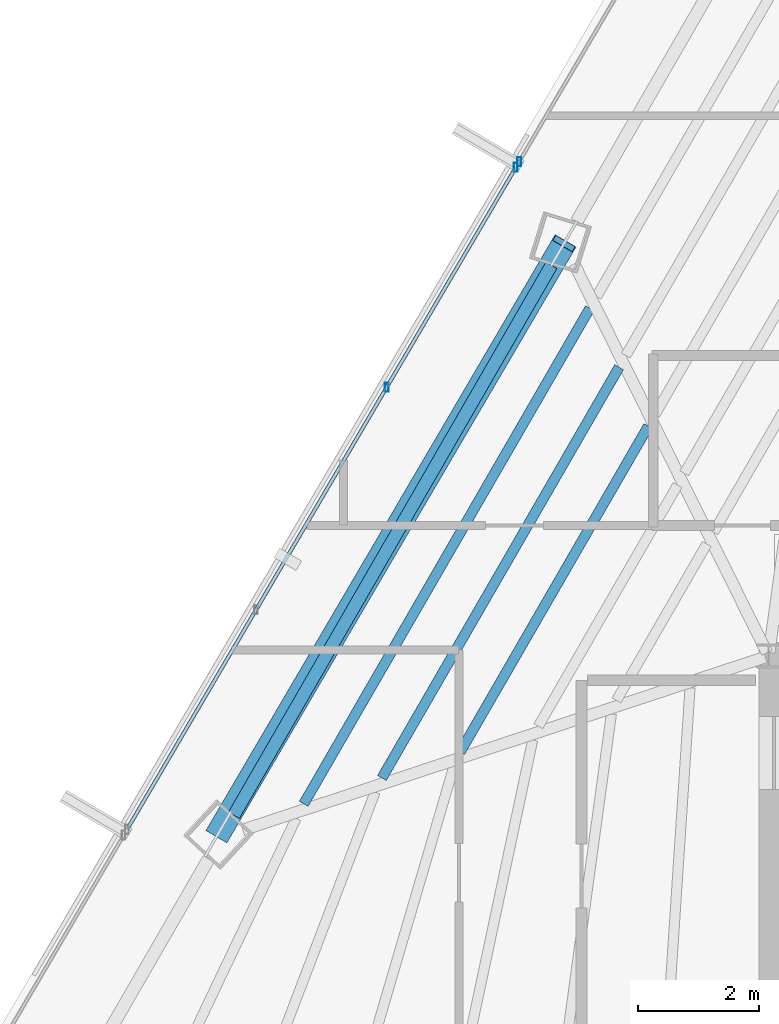
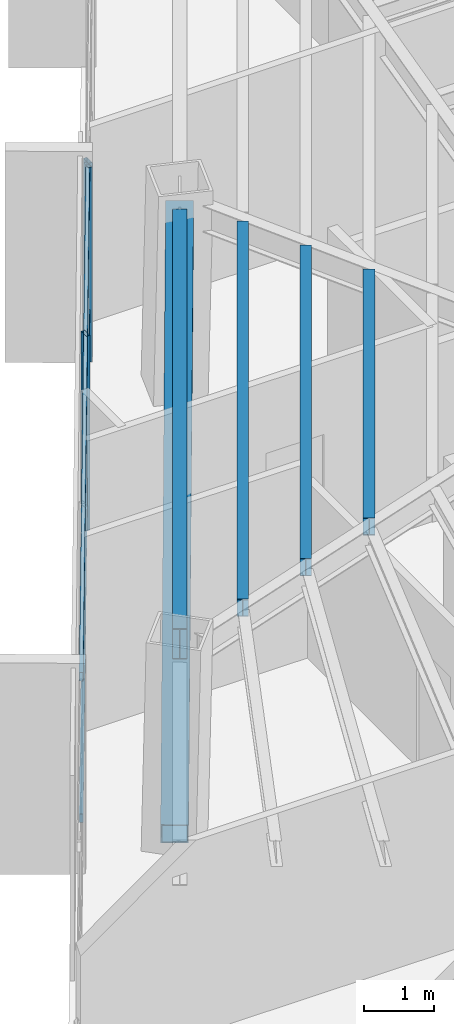
# One storey, part 16 of 42: 6 members, 4 beams, 2 elements without a shape of their own.
"""IFC4 building model written with IfcOpenShell, lengths in metres."""

from ifc_helpers import new_model, si_unit, direction, frame, origin, origin_2d, place, context, subcontext, project, spatial, hollow_rectangle, i_section, extrude, source, transform, mapped, material, material_profile, profile_set, type_object, type_shapes, element, aggregate, save


model = new_model("IFC4")

# Units and contexts
model_context = context("Model", 3, precision=1e-05, world=origin(), true_north=direction((0.0, 1.0)))
body_context = subcontext(model_context, "Body", "Model", "MODEL_VIEW")
ifc_project = project(units=[si_unit("LENGTHUNIT", "METRE"), si_unit("AREAUNIT", "SQUARE_METRE"), si_unit("VOLUMEUNIT", "CUBIC_METRE"), si_unit("PLANEANGLEUNIT", "RADIAN"), si_unit("MASSUNIT", "GRAM", prefix="KILO")], contexts=[model_context])

# Site, building, storey
site_placement = place(None, origin())
site = spatial("IfcSite", under=ifc_project, at=site_placement, CompositionType="ELEMENT")
building_placement = place(site_placement, origin())
building = spatial("IfcBuilding", under=site, at=building_placement, Name="Caelisora Broadcast Tower", CompositionType="ELEMENT")
storey_placement = place(building_placement, frame((0.0, 0.0, 195.0)))
storey = spatial("IfcBuildingStorey", under=building, at=storey_placement, Name="L51", CompositionType="ELEMENT", Elevation=195.0)

# Beams
ifc_material_1 = material(Name="Steel Grade 350 (AS/NZS 3679.1)", Category="steel")
ifc_material_profile_1 = material_profile(ifc_material_1, i_section(OverallWidth=0.208984375, OverallDepth=0.532958984375, WebThickness=0.01025390625, FlangeThickness=0.015625, at=origin_2d()), Name="Steel Grade 350 (AS/NZS 3679.1)")
ifc_profile_set_1 = profile_set([ifc_material_profile_1], Name="Steel Grade 350 (AS/NZS 3679.1)")
beam_type_1 = type_object("IfcBeamType", Name="PG05", PredefinedType="BEAM", material=ifc_profile_set_1)
shared_shape_1 = source(origin(), body_context, "Body", "SweptSolid", [
    extrude(i_section(OverallWidth=0.208984375, OverallDepth=0.532958984375, WebThickness=0.01025390625, FlangeThickness=0.015625, at=origin_2d()), origin(), (0.0, 0.0, 1.0), 10.458740234375),
])
type_shapes(beam_type_1, [shared_shape_1])
beam_1_placement = place(storey_placement, frame((26.921142578125, 36.434814453125, 3.133544921875), z_axis=(-0.49998783254, -0.866032428557, 0.0), x_axis=(0.866032428557, -0.49998783254, 0.0)))
element("IfcBeam", 1, at=beam_1_placement, inside=storey, type_object=beam_type_1, Name="L51 beam PG05", PredefinedType="BEAM", context=body_context, shape_type="MappedRepresentation", body=[
    mapped(shared_shape_1, transform((0.0, 0.0, 0.0), scale=1.0)),
])
ifc_material_profile_2 = material_profile(ifc_material_1, i_section(OverallWidth=0.166015625, OverallDepth=0.30712890625, WebThickness=0.006591796875, FlangeThickness=0.01171875, at=origin_2d()), Name="Steel Grade 350 (AS/NZS 3679.1)")
ifc_profile_set_2 = profile_set([ifc_material_profile_2], Name="Steel Grade 350 (AS/NZS 3679.1)")
beam_type_2 = type_object("IfcBeamType", Name="SB03", PredefinedType="JOIST", material=ifc_profile_set_2)
shared_shape_2 = source(origin(), body_context, "Body", "SweptSolid", [
    extrude(i_section(OverallWidth=0.166015625, OverallDepth=0.30712890625, WebThickness=0.006591796875, FlangeThickness=0.01171875, at=origin_2d()), origin(), (0.0, 0.0, 1.0), 6.199462890625),
])
beam_2_placement = place(storey_placement, frame((28.517822265625, 33.7861328125, 3.246337890625), z_axis=(-0.499984943379, -0.866034096554, 0.0), x_axis=(0.866034096554, -0.499984943379, 0.0)))
element("IfcBeam", 2, at=beam_2_placement, inside=storey, type_object=beam_type_2, Name="L51 beam SB03", PredefinedType="JOIST", context=body_context, shape_type="MappedRepresentation", body=[
    mapped(shared_shape_2, transform((0.0, 0.0, 0.0), scale=1.0)),
])
shared_shape_3 = source(origin(), body_context, "Body", "SweptSolid", [
    extrude(i_section(OverallWidth=0.166015625, OverallDepth=0.30712890625, WebThickness=0.006591796875, FlangeThickness=0.01171875, at=origin_2d()), origin(), (0.0, 0.0, 1.0), 7.8125),
])
beam_3_placement = place(storey_placement, frame((28.036376953125, 34.7568359375, 3.246337890625), z_axis=(-0.499997468525, -0.866026865327, 0.0), x_axis=(0.866026865327, -0.499997468525, 0.0)))
element("IfcBeam", 3, at=beam_3_placement, inside=storey, type_object=beam_type_2, Name="L51 beam SB03", PredefinedType="JOIST", context=body_context, shape_type="MappedRepresentation", body=[
    mapped(shared_shape_3, transform((0.0, 0.0, 0.0), scale=1.0)),
])
shared_shape_4 = source(origin(), body_context, "Body", "SweptSolid", [
    extrude(i_section(OverallWidth=0.166015625, OverallDepth=0.30712890625, WebThickness=0.006591796875, FlangeThickness=0.01171875, at=origin_2d()), origin(), (0.0, 0.0, 1.0), 9.42529296875),
])
type_shapes(beam_type_2, [shared_shape_2, shared_shape_3, shared_shape_4])
beam_4_placement = place(storey_placement, frame((27.5546875, 35.7275390625, 3.246337890625), z_axis=(-0.499997495864, -0.866026849543, 0.0), x_axis=(0.866026849543, -0.499997495864, 0.0)))
element("IfcBeam", 4, at=beam_4_placement, inside=storey, type_object=beam_type_2, Name="L51 beam SB03", PredefinedType="JOIST", context=body_context, shape_type="MappedRepresentation", body=[
    mapped(shared_shape_4, transform((0.0, 0.0, 0.0), scale=1.0)),
])

# Member
ifc_material_2 = material(Name="Steel Grade 450 (AS/NZS 1163 C450L0)", Category="steel")
ifc_material_profile_3 = material_profile(ifc_material_2, hollow_rectangle(XDim=0.39990234375, YDim=0.39990234375, WallThickness=0.01611328125, at=origin_2d()), Name="Steel Grade 450 (AS/NZS 1163 C450L0)")
ifc_profile_set_3 = profile_set([ifc_material_profile_3], Name="Steel Grade 450 (AS/NZS 1163 C450L0)")
member_type_1 = type_object("IfcMemberType", Name="BR04", PredefinedType="BRACE", material=ifc_profile_set_3)
shared_shape_5 = source(origin(), body_context, "Body", "SweptSolid", [
    extrude(hollow_rectangle(XDim=0.39990234375, YDim=0.39990234375, WallThickness=0.01611328125, at=origin_2d()), origin(), (0.0, 0.0, 1.0), 11.666748046875),
])
type_shapes(member_type_1, [shared_shape_5])
member_1_placement = place(storey_placement, frame((27.129150390625, 36.794921875, 3.10009765625), z_axis=(-0.488545302368, -0.833787330916, -0.257142323117), x_axis=(0.862800245812, -0.505544988925, 0.0)))
element("IfcMember", 5, at=member_1_placement, inside=storey, type_object=member_type_1, Name="L51 perimeter brace BR04", PredefinedType="BRACE", context=body_context, shape_type="MappedRepresentation", body=[
    mapped(shared_shape_5, transform((0.0, 0.0, 0.0), scale=1.0)),
])

# Curtain wall, members
ifc_material_3 = material(Name="Unitised Aluminium Insulated Shadow-Box Spandrel Curtain Wall", Category="aluminium")
curtain_wall_type_1 = type_object("IfcCurtainWallType", Name="CW-SP2", PredefinedType="NOTDEFINED", material=ifc_material_3)
curtain_wall_1_placement = place(storey_placement, origin())
curtain_wall_1 = element("IfcCurtainWall", 6, at=curtain_wall_1_placement, inside=storey, type_object=curtain_wall_type_1, Name="L51 curtain wall CW-SP2", PredefinedType="NOTDEFINED")
ifc_material_4 = material(Name="Aluminium 6063-T6 Anodised Terracotta Bronze", Category="aluminium")
ifc_material_profile_4 = material_profile(ifc_material_4, hollow_rectangle(XDim=0.06005859375, YDim=0.14990234375, WallThickness=0.00341796875, at=origin_2d()), Name="Aluminium 6063-T6 Anodised Terracotta Bronze")
ifc_profile_set_4 = profile_set([ifc_material_profile_4], Name="Aluminium 6063-T6 Anodised Terracotta Bronze")
member_type_2 = type_object("IfcMemberType", Name="CWM-03", PredefinedType="MULLION", material=ifc_profile_set_4)
shared_shape_6 = source(origin(), body_context, "Body", "SweptSolid", [
    extrude(hollow_rectangle(XDim=0.06005859375, YDim=0.14990234375, WallThickness=0.00341796875, at=origin_2d()), origin(), (0.0, 0.0, 1.0), 3.39990234375),
])
type_shapes(member_type_2, [shared_shape_6])
member_2_placement = place(storey_placement, frame((24.208984375, 34.426513671875, 0.0), z_axis=(0.0, 0.0, 1.0), x_axis=(1.0, 0.0, 0.0)))
member_2 = element("IfcMember", 7, at=member_2_placement, type_object=member_type_2, Name="L51-CW-B10 mullion #2", PredefinedType="MULLION", context=body_context, shape_type="MappedRepresentation", body=[
    mapped(shared_shape_6, transform((0.0, 0.0, 0.0), scale=1.0)),
])
member_3_placement = place(storey_placement, frame((26.335205078125, 38.047607421875, 0.0), z_axis=(0.0, 0.0, 1.0), x_axis=(1.0, 0.0, 0.0)))
member_3 = element("IfcMember", 8, at=member_3_placement, type_object=member_type_2, Name="L51-CW-B10 mullion #3", PredefinedType="MULLION", context=body_context, shape_type="MappedRepresentation", body=[
    mapped(shared_shape_6, transform((0.0, 0.0, 0.0), scale=1.0)),
])

# Curtain wall, member
ifc_material_5 = material(Name="Unitised Aluminium and Low-E Glass Curtain Wall", Category="glass")
curtain_wall_type_2 = type_object("IfcCurtainWallType", Name="CW-Z4", PredefinedType="NOTDEFINED", material=ifc_material_5)
curtain_wall_2_placement = place(storey_placement, origin())
curtain_wall_2 = element("IfcCurtainWall", 9, at=curtain_wall_2_placement, inside=storey, type_object=curtain_wall_type_2, Name="L51 curtain wall CW-Z4", PredefinedType="NOTDEFINED")
member_4_placement = place(storey_placement, frame((26.39111328125, 38.142333984375, 0.0), z_axis=(0.0, 0.0, 1.0), x_axis=(1.0, 0.0, 0.0)))
member_4 = element("IfcMember", 10, at=member_4_placement, type_object=member_type_2, Name="L51-CW-B11 mullion #0", PredefinedType="MULLION", context=body_context, shape_type="MappedRepresentation", body=[
    mapped(shared_shape_6, transform((0.0, 0.0, 0.0), scale=1.0)),
])
aggregate(curtain_wall_2, [member_4])

# Member
ifc_material_profile_5 = material_profile(ifc_material_4, hollow_rectangle(XDim=0.06005859375, YDim=0.14990234375, WallThickness=0.00341796875, at=origin_2d()), Name="Aluminium 6063-T6 Anodised Terracotta Bronze")
ifc_profile_set_5 = profile_set([ifc_material_profile_5], Name="Aluminium 6063-T6 Anodised Terracotta Bronze")
member_type_3 = type_object("IfcMemberType", Name="CWT-02", PredefinedType="USERDEFINED", material=ifc_profile_set_5)
shared_shape_7 = source(origin(), body_context, "Body", "SweptSolid", [
    extrude(hollow_rectangle(XDim=0.06005859375, YDim=0.14990234375, WallThickness=0.00341796875, at=origin_2d()), origin(), (0.0, 0.0, 1.0), 12.647705078125),
])
type_shapes(member_type_3, [shared_shape_7])
member_5_placement = place(storey_placement, frame((19.930908203125, 27.14111328125, 0.85009765625), z_axis=(0.506356925116, 0.862323990382, 0.0), x_axis=(-0.862323990382, 0.506356925116, 0.0)))
member_5 = element("IfcMember", 11, at=member_5_placement, type_object=member_type_3, Name="L51-CW-B10 transom #1", ObjectType="TRANSOM", PredefinedType="USERDEFINED", context=body_context, shape_type="MappedRepresentation", body=[
    mapped(shared_shape_7, transform((0.0, 0.0, 0.0), scale=1.0)),
])

member_6_placement = place(storey_placement, frame((19.930908203125, 27.14111328125, 3.320068359375), z_axis=(0.506356925116, 0.862323990382, 0.0), x_axis=(-0.862323990382, 0.506356925116, 0.0)))
member_6 = element("IfcMember", 12, at=member_6_placement, type_object=member_type_3, Name="L51-CW-B10 transom #2", ObjectType="TRANSOM", PredefinedType="USERDEFINED", context=body_context, shape_type="MappedRepresentation", body=[
    mapped(shared_shape_7, transform((0.0, 0.0, 0.0), scale=1.0)),
])

aggregate(curtain_wall_1, [member_2, member_3, member_5, member_6])

save(model, "model.ifc")
